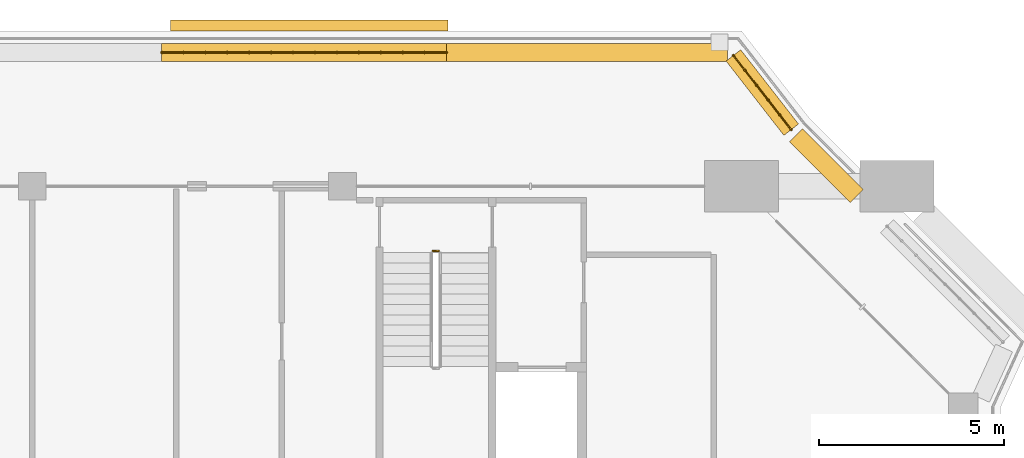
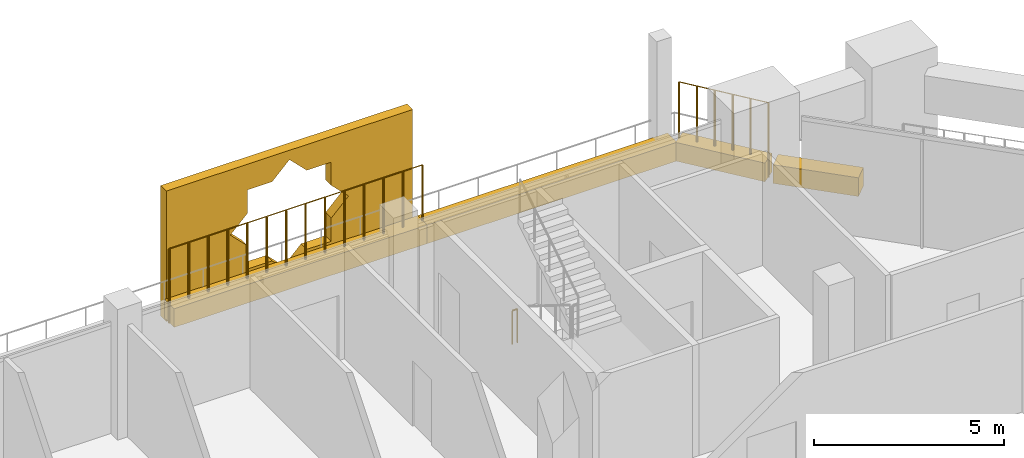
# One storey, part 23 of 23: 5 coverings, 3 railings.
"""IFC4 building model written with IfcOpenShell, lengths in metres."""

from ifc_helpers import new_model, si_unit, direction, frame, origin, origin_2d, place, context, subcontext, project, spatial, polyline, rectangle, circle, outline, extrude, material, material_profile, profile_set, type_object, element, save


model = new_model("IFC4")

# Units and contexts
model_context = context("Model", 3, precision=1e-05, world=origin(), true_north=direction((0.0, 1.0)))
body_context = subcontext(model_context, "Body", "Model", "MODEL_VIEW")
ifc_project = project(units=[si_unit("LENGTHUNIT", "METRE"), si_unit("AREAUNIT", "SQUARE_METRE"), si_unit("VOLUMEUNIT", "CUBIC_METRE"), si_unit("PLANEANGLEUNIT", "RADIAN"), si_unit("MASSUNIT", "GRAM", prefix="KILO")], contexts=[model_context])

# Site, building, storey
site_placement = place(None, origin())
site = spatial("IfcSite", under=ifc_project, at=site_placement, CompositionType="ELEMENT")
building_placement = place(site_placement, origin())
building = spatial("IfcBuilding", under=site, at=building_placement, Name="Kawkab Arch Medical Tower", CompositionType="ELEMENT")
storey_placement = place(building_placement, frame((0.0, 0.0, 281.800048828125)))
storey = spatial("IfcBuildingStorey", under=building, at=storey_placement, Name="L65", CompositionType="ELEMENT", Elevation=281.800048828125)

# Coverings
ifc_material_1 = material(Name="Bronze anodised aluminium mashrabiya panel, eight-point star pattern", Category="aluminium")
ifc_material_profile_1 = material_profile(ifc_material_1, outline(polyline([(-3.75, -2.10009765625), (3.75, -2.10009765625), (3.75, 2.10009765625), (-3.75, 2.10009765625), (-3.75, -2.10009765625)]), holes=[polyline([(1.800048828125, 0.0), (1.272705078125, 0.527099609375), (1.272705078125, 1.272705078125), (0.527099609375, 1.272705078125), (0.0, 1.800048828125), (-0.527099609375, 1.272705078125), (-1.272705078125, 1.272705078125), (-1.272705078125, 0.527099609375), (-1.800048828125, 0.0), (-1.272705078125, -0.527099609375), (-1.272705078125, -1.272705078125), (-0.527099609375, -1.272705078125), (0.0, -1.800048828125), (0.527099609375, -1.272705078125), (1.272705078125, -1.272705078125), (1.272705078125, -0.527099609375), (1.800048828125, 0.0)])]), Name="Mashrabiya panel 7500x4200")
ifc_profile_set_1 = profile_set([ifc_material_profile_1], Name="Bronze anodised aluminium mashrabiya panel, eight-point star pattern")
covering_type_1 = type_object("IfcCoveringType", Name="Mashrabiya panel 7500 x 4200", PredefinedType="USERDEFINED", material=ifc_profile_set_1)
covering_1_placement = place(storey_placement, frame((41.09765625, 4.199951171875, 1.699951171875), z_axis=(0.0, 1.0, 0.0), x_axis=(-1.0, 0.0, 0.0)))
element("IfcCovering", 1, at=covering_1_placement, inside=storey, type_object=covering_type_1, Name="Mashrabiya panel L65.LOG-01-02.5", ObjectType="SCREEN", PredefinedType="USERDEFINED", context=body_context, shape_type="SweptSolid", body=[
    extrude(outline(polyline([(-3.75, -2.10009765625), (3.75, -2.10009765625), (3.75, 2.10009765625), (-3.75, 2.10009765625), (-3.75, -2.10009765625)]), holes=[polyline([(1.800048828125, 0.0), (1.272705078125, 0.527099609375), (1.272705078125, 1.272705078125), (0.527099609375, 1.272705078125), (0.0, 1.800048828125), (-0.527099609375, 1.272705078125), (-1.272705078125, 1.272705078125), (-1.272705078125, 0.527099609375), (-1.800048828125, 0.0), (-1.272705078125, -0.527099609375), (-1.272705078125, -1.272705078125), (-0.527099609375, -1.272705078125), (0.0, -1.800048828125), (0.527099609375, -1.272705078125), (1.272705078125, -1.272705078125), (1.272705078125, -0.527099609375), (1.800048828125, 0.0)])]), origin(), (0.0, 0.0, 1.0), 0.300048828125),
])
ifc_material_2 = material(Name="Planting soil in a precast trough", Category="concrete")
ifc_material_profile_2 = material_profile(ifc_material_2, rectangle(XDim=0.5, YDim=0.60009765625, at=origin_2d()), Name="Trough 500x600")
ifc_profile_set_2 = profile_set([ifc_material_profile_2], Name="Planting soil in a precast trough")
covering_type_2 = type_object("IfcCoveringType", Name="Planter trough 500 x 600", PredefinedType="USERDEFINED", material=ifc_profile_set_2)
covering_2_placement = place(storey_placement, frame((37.10498046875, 3.6201171875, 0.300048828125), z_axis=(1.0, 0.0, 0.0), x_axis=(0.0, 1.0, 0.0)))
element("IfcCovering", 2, at=covering_2_placement, inside=storey, type_object=covering_type_2, Name="Planter L65.LOG-01-02.17", ObjectType="PLANTER", PredefinedType="USERDEFINED", context=body_context, shape_type="SweptSolid", body=[
    extrude(rectangle(XDim=0.5, YDim=0.60009765625, at=origin_2d()), origin(), (0.0, 0.0, 1.0), 7.7060546875),
])
covering_3_placement = place(storey_placement, frame((44.81103515625, 3.6201171875, 0.300048828125), z_axis=(1.0, 0.0, 0.0), x_axis=(0.0, 1.0, 0.0)))
element("IfcCovering", 3, at=covering_3_placement, inside=storey, type_object=covering_type_2, Name="Planter L65.LOG-01-02.18", ObjectType="PLANTER", PredefinedType="USERDEFINED", context=body_context, shape_type="SweptSolid", body=[
    extrude(rectangle(XDim=0.5, YDim=0.60009765625, at=origin_2d()), origin(), (0.0, 0.0, 1.0), 7.60498046875),
])
covering_4_placement = place(storey_placement, frame((52.577880859375, 3.541015625, 0.300048828125), z_axis=(0.614099956103, -0.789228258436, 0.0), x_axis=(0.789228258436, 0.614099956103, 0.0)))
element("IfcCovering", 4, at=covering_4_placement, inside=storey, type_object=covering_type_2, Name="Planter L65.LOG-01-02.19", ObjectType="PLANTER", PredefinedType="USERDEFINED", context=body_context, shape_type="SweptSolid", body=[
    extrude(rectangle(XDim=0.5, YDim=0.60009765625, at=origin_2d()), origin(), (0.0, 0.0, 1.0), 2.545654296875),
])
covering_5_placement = place(storey_placement, frame((54.27294921875, 1.383056640625, 0.300048828125), z_axis=(0.707106781187, -0.707106781187, 0.0), x_axis=(0.707106781187, 0.707106781187, 0.0)))
element("IfcCovering", 5, at=covering_5_placement, inside=storey, type_object=covering_type_2, Name="Planter L65.LOG-01-02.20", ObjectType="PLANTER", PredefinedType="USERDEFINED", context=body_context, shape_type="SweptSolid", body=[
    extrude(rectangle(XDim=0.5, YDim=0.60009765625, at=origin_2d()), origin(), (0.0, 0.0, 1.0), 2.3291015625),
])

# Railings
ifc_material_3 = material(Name="Bronze anodised aluminium trellis for climbing plants", Category="aluminium")
railing_type_1 = type_object("IfcRailingType", Name="Planting trellis 2400", PredefinedType="USERDEFINED", material=ifc_material_3)
railing_1_placement = place(storey_placement, frame((37.10498046875, 3.6201171875, 0.0)))
element("IfcRailing", 6, at=railing_1_placement, inside=storey, type_object=railing_type_1, Name="Planting trellis L65.LOG-01-02.17", ObjectType="TRELLIS", PredefinedType="USERDEFINED", context=body_context, shape_type="SweptSolid", body=[
    extrude(circle(Radius=0.01513671875, at=origin_2d()), frame((0.0, 0.0, 2.384765625), z_axis=(1.0, 0.0, 0.0), x_axis=(0.0, 1.0, 0.0)), (0.0, 0.0, 1.0), 7.7060546875),
    extrude(circle(Radius=0.030029296875, at=origin_2d()), origin(), (0.0, 0.0, 1.0), 2.369873046875),
    extrude(circle(Radius=0.030029296875, at=origin_2d()), frame((0.5927734375, 0.0, 0.0)), (0.0, 0.0, 1.0), 2.369873046875),
    extrude(circle(Radius=0.030029296875, at=origin_2d()), frame((1.185546875, 0.0, 0.0)), (0.0, 0.0, 1.0), 2.369873046875),
    extrude(circle(Radius=0.030029296875, at=origin_2d()), frame((1.7783203125, 0.0, 0.0)), (0.0, 0.0, 1.0), 2.369873046875),
    extrude(circle(Radius=0.030029296875, at=origin_2d()), frame((2.37109375, 0.0, 0.0)), (0.0, 0.0, 1.0), 2.369873046875),
    extrude(circle(Radius=0.030029296875, at=origin_2d()), frame((2.9638671875, 0.0, 0.0)), (0.0, 0.0, 1.0), 2.369873046875),
    extrude(circle(Radius=0.030029296875, at=origin_2d()), frame((3.556640625, 0.0, 0.0)), (0.0, 0.0, 1.0), 2.369873046875),
    extrude(circle(Radius=0.030029296875, at=origin_2d()), frame((4.1494140625, 0.0, 0.0)), (0.0, 0.0, 1.0), 2.369873046875),
    extrude(circle(Radius=0.030029296875, at=origin_2d()), frame((4.7421875, 0.0, 0.0)), (0.0, 0.0, 1.0), 2.369873046875),
    extrude(circle(Radius=0.030029296875, at=origin_2d()), frame((5.3349609375, 0.0, 0.0)), (0.0, 0.0, 1.0), 2.369873046875),
    extrude(circle(Radius=0.030029296875, at=origin_2d()), frame((5.927734375, 0.0, 0.0)), (0.0, 0.0, 1.0), 2.369873046875),
    extrude(circle(Radius=0.030029296875, at=origin_2d()), frame((6.5205078125, 0.0, 0.0)), (0.0, 0.0, 1.0), 2.369873046875),
    extrude(circle(Radius=0.030029296875, at=origin_2d()), frame((7.11328125, 0.0, 0.0)), (0.0, 0.0, 1.0), 2.369873046875),
    extrude(circle(Radius=0.030029296875, at=origin_2d()), frame((7.7060546875, 0.0, 0.0)), (0.0, 0.0, 1.0), 2.369873046875),
])
railing_2_placement = place(storey_placement, frame((52.577880859375, 3.541015625, 0.0)))
element("IfcRailing", 7, at=railing_2_placement, inside=storey, type_object=railing_type_1, Name="Planting trellis L65.LOG-01-02.19", ObjectType="TRELLIS", PredefinedType="USERDEFINED", context=body_context, shape_type="SweptSolid", body=[
    extrude(circle(Radius=0.01513671875, at=origin_2d()), frame((0.0, 0.0, 2.384765625), z_axis=(0.614099956103, -0.789228258436, 0.0), x_axis=(0.789228258436, 0.614099956103, 0.0)), (0.0, 0.0, 1.0), 2.545654296875),
    extrude(circle(Radius=0.030029296875, at=origin_2d()), origin(), (0.0, 0.0, 1.0), 2.369873046875),
    extrude(circle(Radius=0.030029296875, at=origin_2d()), frame((0.312744140625, -0.40185546875, 0.0)), (0.0, 0.0, 1.0), 2.369873046875),
    extrude(circle(Radius=0.030029296875, at=origin_2d()), frame((0.625244140625, -0.8037109375, 0.0)), (0.0, 0.0, 1.0), 2.369873046875),
    extrude(circle(Radius=0.030029296875, at=origin_2d()), frame((0.93798828125, -1.205322265625, 0.0)), (0.0, 0.0, 1.0), 2.369873046875),
    extrude(circle(Radius=0.030029296875, at=origin_2d()), frame((1.25048828125, -1.607177734375, 0.0)), (0.0, 0.0, 1.0), 2.369873046875),
    extrude(circle(Radius=0.030029296875, at=origin_2d()), frame((1.563232421875, -2.009033203125, 0.0)), (0.0, 0.0, 1.0), 2.369873046875),
])
ifc_material_4 = material(Name="Stainless steel", Category="steel")
railing_type_2 = type_object("IfcRailingType", Name="Stair guard 1100", PredefinedType="GUARDRAIL", material=ifc_material_4)
railing_3_placement = place(storey_placement, frame((44.449951171875, -1.75, 0.0)))
element("IfcRailing", 8, at=railing_3_placement, inside=storey, type_object=railing_type_2, Name="L65 ST5 stair guard 4", PredefinedType="GUARDRAIL", context=body_context, shape_type="SweptSolid", body=[
    extrude(circle(Radius=0.02392578125, at=origin_2d()), frame((0.0, 0.0, 1.076171875), z_axis=(1.0, 0.0, 0.0), x_axis=(0.0, 1.0, 0.0)), (0.0, 0.0, 1.0), 0.150146484375),
    extrude(circle(Radius=0.02099609375, at=origin_2d()), origin(), (0.0, 0.0, 1.0), 1.052001953125),
    extrude(circle(Radius=0.02099609375, at=origin_2d()), frame((0.150146484375, 0.0, 0.0)), (0.0, 0.0, 1.0), 1.052001953125),
])

save(model, "model.ifc")
